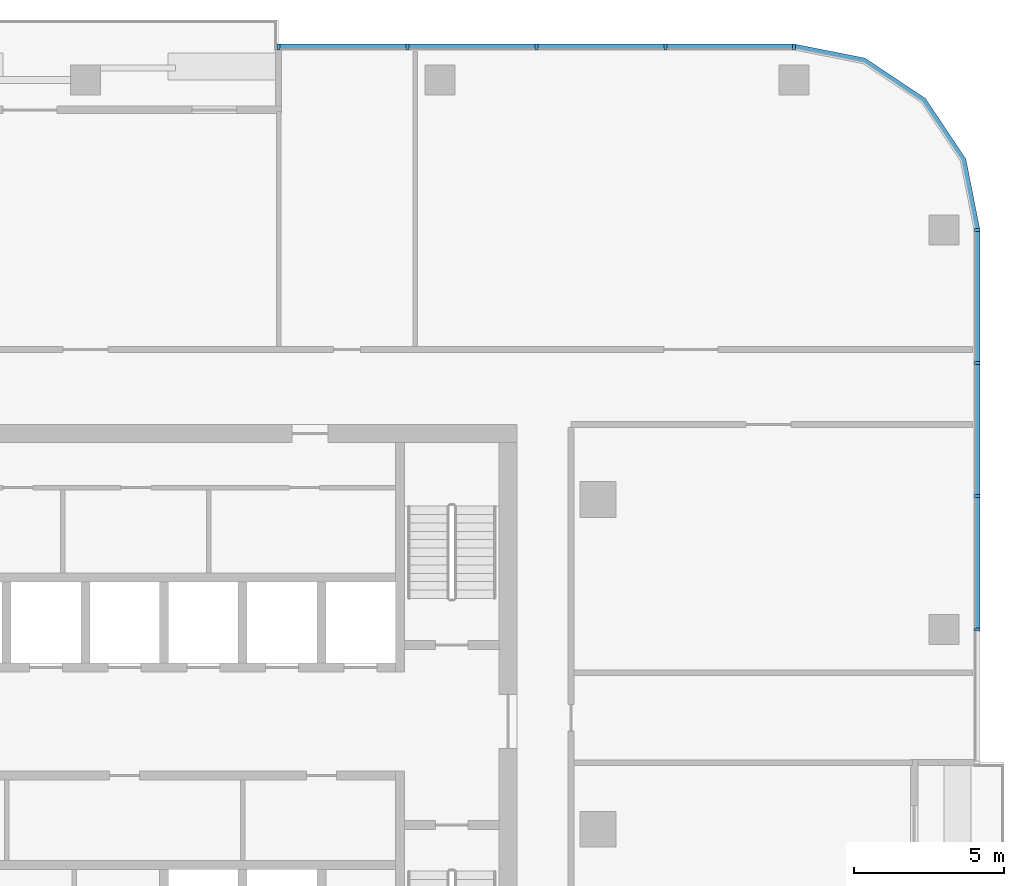
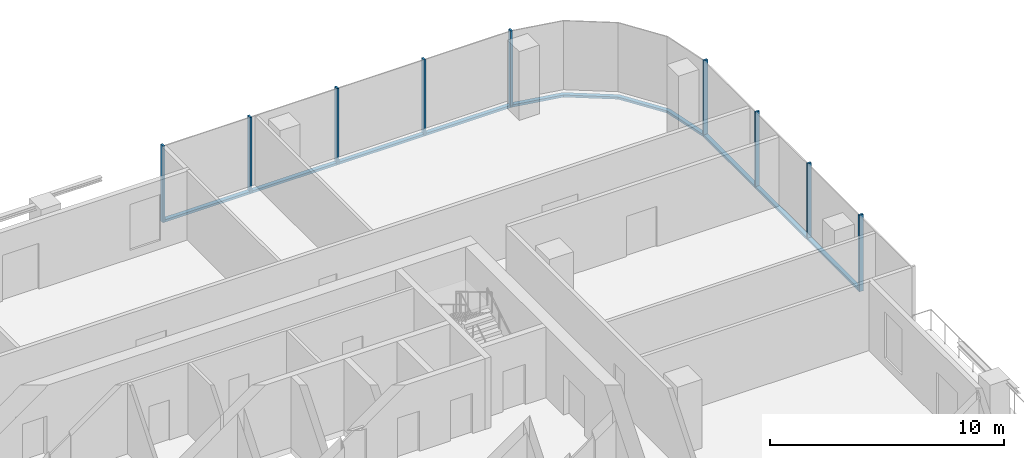
# One storey, part 5 of 13: 17 members, 3 elements without a shape of their own.
"""IFC4 building model written with IfcOpenShell, lengths in metres."""

from ifc_helpers import new_model, si_unit, direction, frame, origin, origin_2d, place, context, subcontext, project, spatial, polyline, rectangle, outline, extrude, material, material_profile, profile_set, type_object, element, aggregate, save


model = new_model("IFC4")

# Units and contexts
model_context = context("Model", 3, precision=1e-05, world=origin(), true_north=direction((0.0, 1.0)))
body_context = subcontext(model_context, "Body", "Model", "MODEL_VIEW")
ifc_project = project(units=[si_unit("LENGTHUNIT", "METRE"), si_unit("AREAUNIT", "SQUARE_METRE"), si_unit("VOLUMEUNIT", "CUBIC_METRE"), si_unit("PLANEANGLEUNIT", "RADIAN"), si_unit("MASSUNIT", "GRAM", prefix="KILO")], contexts=[model_context])

# Site, building, storey
site_placement = place(None, origin())
site = spatial("IfcSite", under=ifc_project, at=site_placement, CompositionType="ELEMENT")
building_placement = place(site_placement, origin())
building = spatial("IfcBuilding", under=site, at=building_placement, Name="Mopane Tessera Tower", CompositionType="ELEMENT")
storey_placement = place(building_placement, frame((0.0, 0.0, 283.39990234375)))
storey = spatial("IfcBuildingStorey", under=building, at=storey_placement, Name="L61", CompositionType="ELEMENT", Elevation=283.39990234375)

# Curtain wall, members
ifc_material_1 = material(Name="Aluminium frame", Category="aluminium")
curtain_wall_type = type_object("IfcCurtainWallType", Name="Unitised curtain wall", PredefinedType="NOTDEFINED", material=ifc_material_1)
curtain_wall_1_placement = place(storey_placement, origin())
curtain_wall_1 = element("IfcCurtainWall", 1, at=curtain_wall_1_placement, inside=storey, type_object=curtain_wall_type, Name="e:cw:L61:E:5", PredefinedType="NOTDEFINED")
ifc_material_2 = material(Name="Aluminium frame", Category="aluminium")
ifc_material_profile_1 = material_profile(ifc_material_2, rectangle(XDim=0.10009765625, YDim=0.199951171875, at=origin_2d()))
ifc_profile_set_1 = profile_set([ifc_material_profile_1], Name="Aluminium frame")
member_type_1 = type_object("IfcMemberType", Name="Aluminium mullion 100 x 200", PredefinedType="MULLION", material=ifc_profile_set_1)
member_1_placement = place(storey_placement, frame((29.75, 6.666748046875, -0.39990234375), z_axis=(0.0, 0.0, 1.0), x_axis=(0.0, 1.0, 0.0)))
member_1 = element("IfcMember", 2, at=member_1_placement, type_object=member_type_1, Name="e:cw:L61:E:5:mu6", PredefinedType="MULLION", context=body_context, shape_type="SweptSolid", body=[
    extrude(rectangle(XDim=0.10009765625, YDim=0.199951171875, at=origin_2d()), origin(), (0.0, 0.0, 1.0), 4.0),
])
member_2_placement = place(storey_placement, frame((29.75, 11.111083984375, -0.39990234375), z_axis=(0.0, 0.0, 1.0), x_axis=(0.0, 1.0, 0.0)))
member_2 = element("IfcMember", 3, at=member_2_placement, type_object=member_type_1, Name="e:cw:L61:E:5:mu7", PredefinedType="MULLION", context=body_context, shape_type="SweptSolid", body=[
    extrude(rectangle(XDim=0.10009765625, YDim=0.199951171875, at=origin_2d()), origin(), (0.0, 0.0, 1.0), 4.0),
])
member_3_placement = place(storey_placement, frame((29.75, 15.5556640625, -0.39990234375), z_axis=(0.0, 0.0, 1.0), x_axis=(0.0, 1.0, 0.0)))
member_3 = element("IfcMember", 4, at=member_3_placement, type_object=member_type_1, Name="e:cw:L61:E:5:mu8", PredefinedType="MULLION", context=body_context, shape_type="SweptSolid", body=[
    extrude(rectangle(XDim=0.10009765625, YDim=0.199951171875, at=origin_2d()), origin(), (0.0, 0.0, 1.0), 4.0),
])
member_4_placement = place(storey_placement, frame((29.75, 20.0, -0.39990234375), z_axis=(0.0, 0.0, 1.0), x_axis=(0.0, 1.0, 0.0)))
member_4 = element("IfcMember", 5, at=member_4_placement, type_object=member_type_1, Name="e:cw:L61:E:5:mu9", PredefinedType="MULLION", context=body_context, shape_type="SweptSolid", body=[
    extrude(rectangle(XDim=0.10009765625, YDim=0.199951171875, at=origin_2d()), origin(), (0.0, 0.0, 1.0), 4.0),
])

curtain_wall_2_placement = place(storey_placement, origin())
curtain_wall_2 = element("IfcCurtainWall", 6, at=curtain_wall_2_placement, inside=storey, type_object=curtain_wall_type, Name="e:cw:L61:N:0", PredefinedType="NOTDEFINED")
member_5_placement = place(storey_placement, frame((23.64990234375, 26.10009765625, -0.39990234375), z_axis=(0.0, 0.0, 1.0), x_axis=(-1.0, 0.0, 0.0)))
member_5 = element("IfcMember", 7, at=member_5_placement, type_object=member_type_1, Name="e:cw:L61:N:0:mu0", PredefinedType="MULLION", context=body_context, shape_type="SweptSolid", body=[
    extrude(rectangle(XDim=0.10009765625, YDim=0.199951171875, at=origin_2d()), origin(), (0.0, 0.0, 1.0), 4.0),
])
member_6_placement = place(storey_placement, frame((19.35009765625, 26.10009765625, -0.39990234375), z_axis=(0.0, 0.0, 1.0), x_axis=(-1.0, 0.0, 0.0)))
member_6 = element("IfcMember", 8, at=member_6_placement, type_object=member_type_1, Name="e:cw:L61:N:0:mu1", PredefinedType="MULLION", context=body_context, shape_type="SweptSolid", body=[
    extrude(rectangle(XDim=0.10009765625, YDim=0.199951171875, at=origin_2d()), origin(), (0.0, 0.0, 1.0), 4.0),
])
member_7_placement = place(storey_placement, frame((15.050048828125, 26.10009765625, -0.39990234375), z_axis=(0.0, 0.0, 1.0), x_axis=(-1.0, 0.0, 0.0)))
member_7 = element("IfcMember", 9, at=member_7_placement, type_object=member_type_1, Name="e:cw:L61:N:0:mu2", PredefinedType="MULLION", context=body_context, shape_type="SweptSolid", body=[
    extrude(rectangle(XDim=0.10009765625, YDim=0.199951171875, at=origin_2d()), origin(), (0.0, 0.0, 1.0), 4.0),
])
member_8_placement = place(storey_placement, frame((10.75, 26.10009765625, -0.39990234375), z_axis=(0.0, 0.0, 1.0), x_axis=(-1.0, 0.0, 0.0)))
member_8 = element("IfcMember", 10, at=member_8_placement, type_object=member_type_1, Name="e:cw:L61:N:0:mu3", PredefinedType="MULLION", context=body_context, shape_type="SweptSolid", body=[
    extrude(rectangle(XDim=0.10009765625, YDim=0.199951171875, at=origin_2d()), origin(), (0.0, 0.0, 1.0), 4.0),
])
member_9_placement = place(storey_placement, frame((6.449951171875, 26.10009765625, -0.39990234375), z_axis=(0.0, 0.0, 1.0), x_axis=(-1.0, 0.0, 0.0)))
member_9 = element("IfcMember", 11, at=member_9_placement, type_object=member_type_1, Name="e:cw:L61:N:0:mu4", PredefinedType="MULLION", context=body_context, shape_type="SweptSolid", body=[
    extrude(rectangle(XDim=0.10009765625, YDim=0.199951171875, at=origin_2d()), origin(), (0.0, 0.0, 1.0), 4.0),
])

# Member
ifc_material_3 = material(Name="Aluminium frame", Category="aluminium")
ifc_material_profile_2 = material_profile(ifc_material_3, rectangle(XDim=0.199951171875, YDim=0.1201171875, at=origin_2d()))
ifc_profile_set_2 = profile_set([ifc_material_profile_2], Name="Aluminium frame")
member_type_2 = type_object("IfcMemberType", Name="Aluminium transom 200 x 120", PredefinedType="USERDEFINED", material=ifc_profile_set_2)
member_10_placement = place(storey_placement, frame((29.75, 6.716552734375, -0.33984375), z_axis=(0.0, 1.0, 0.0), x_axis=(-1.0, 0.0, 0.0)))
member_10 = element("IfcMember", 12, at=member_10_placement, type_object=member_type_2, Name="e:cw:L61:E:5:tr6", ObjectType="TRANSOM", PredefinedType="USERDEFINED", context=body_context, shape_type="SweptSolid", body=[
    extrude(rectangle(XDim=0.199951171875, YDim=0.1201171875, at=origin_2d()), origin(), (0.0, 0.0, 1.0), 4.344482421875),
])

member_11_placement = place(storey_placement, frame((29.75, 11.1611328125, -0.33984375), z_axis=(0.0, 1.0, 0.0), x_axis=(-1.0, 0.0, 0.0)))
member_11 = element("IfcMember", 13, at=member_11_placement, type_object=member_type_2, Name="e:cw:L61:E:5:tr7", ObjectType="TRANSOM", PredefinedType="USERDEFINED", context=body_context, shape_type="SweptSolid", body=[
    extrude(rectangle(XDim=0.199951171875, YDim=0.1201171875, at=origin_2d()), origin(), (0.0, 0.0, 1.0), 4.344482421875),
])

member_12_placement = place(storey_placement, frame((29.75, 15.60546875, -0.33984375), z_axis=(0.0, 1.0, 0.0), x_axis=(-1.0, 0.0, 0.0)))
member_12 = element("IfcMember", 14, at=member_12_placement, type_object=member_type_2, Name="e:cw:L61:E:5:tr8", ObjectType="TRANSOM", PredefinedType="USERDEFINED", context=body_context, shape_type="SweptSolid", body=[
    extrude(rectangle(XDim=0.199951171875, YDim=0.1201171875, at=origin_2d()), origin(), (0.0, 0.0, 1.0), 4.344482421875),
])

aggregate(curtain_wall_1, [member_1, member_2, member_3, member_4, member_10, member_11, member_12])

# Curtain wall, member
curtain_wall_3_placement = place(storey_placement, origin())
curtain_wall_3 = element("IfcCurtainWall", 15, at=curtain_wall_3_placement, inside=storey, type_object=curtain_wall_type, Name="e:cw:L61:CE", PredefinedType="NOTDEFINED")
member_13_placement = place(storey_placement, frame((0.0, 0.0, -0.39990234375)))
member_13 = element("IfcMember", 16, at=member_13_placement, type_object=member_type_2, Name="e:cw:L61:CE:tr", ObjectType="TRANSOM", PredefinedType="USERDEFINED", context=body_context, shape_type="SweptSolid", body=[
    extrude(outline(polyline([(29.64990234375, 20.0), (29.193359375, 22.296142578125), (27.892578125, 24.24267578125), (25.946044921875, 25.543212890625), (23.64990234375, 26.0), (23.64990234375, 26.199951171875), (26.022705078125, 25.72802734375), (28.0341796875, 24.384033203125), (29.378173828125, 22.37255859375), (29.85009765625, 20.0), (29.64990234375, 20.0)])), origin(), (0.0, 0.0, 1.0), 0.1201171875),
])
aggregate(curtain_wall_3, [member_13])

# Member
member_14_placement = place(storey_placement, frame((23.60009765625, 26.10009765625, -0.33984375), z_axis=(-1.0, 0.0, 0.0), x_axis=(0.0, -1.0, 0.0)))
member_14 = element("IfcMember", 17, at=member_14_placement, type_object=member_type_2, Name="e:cw:L61:N:0:tr0", ObjectType="TRANSOM", PredefinedType="USERDEFINED", context=body_context, shape_type="SweptSolid", body=[
    extrude(rectangle(XDim=0.199951171875, YDim=0.1201171875, at=origin_2d()), origin(), (0.0, 0.0, 1.0), 4.2001953125),
])

member_15_placement = place(storey_placement, frame((19.300048828125, 26.10009765625, -0.33984375), z_axis=(-1.0, 0.0, 0.0), x_axis=(0.0, -1.0, 0.0)))
member_15 = element("IfcMember", 18, at=member_15_placement, type_object=member_type_2, Name="e:cw:L61:N:0:tr1", ObjectType="TRANSOM", PredefinedType="USERDEFINED", context=body_context, shape_type="SweptSolid", body=[
    extrude(rectangle(XDim=0.199951171875, YDim=0.1201171875, at=origin_2d()), origin(), (0.0, 0.0, 1.0), 4.199951171875),
])

member_16_placement = place(storey_placement, frame((15.0, 26.10009765625, -0.33984375), z_axis=(-1.0, 0.0, 0.0), x_axis=(0.0, -1.0, 0.0)))
member_16 = element("IfcMember", 19, at=member_16_placement, type_object=member_type_2, Name="e:cw:L61:N:0:tr2", ObjectType="TRANSOM", PredefinedType="USERDEFINED", context=body_context, shape_type="SweptSolid", body=[
    extrude(rectangle(XDim=0.199951171875, YDim=0.1201171875, at=origin_2d()), origin(), (0.0, 0.0, 1.0), 4.199951171875),
])

member_17_placement = place(storey_placement, frame((10.699951171875, 26.10009765625, -0.33984375), z_axis=(-1.0, 0.0, 0.0), x_axis=(0.0, -1.0, 0.0)))
member_17 = element("IfcMember", 20, at=member_17_placement, type_object=member_type_2, Name="e:cw:L61:N:0:tr3", ObjectType="TRANSOM", PredefinedType="USERDEFINED", context=body_context, shape_type="SweptSolid", body=[
    extrude(rectangle(XDim=0.199951171875, YDim=0.1201171875, at=origin_2d()), origin(), (0.0, 0.0, 1.0), 4.199951171875),
])

aggregate(curtain_wall_2, [member_5, member_6, member_7, member_8, member_9, member_14, member_15, member_16, member_17])

save(model, "model.ifc")
